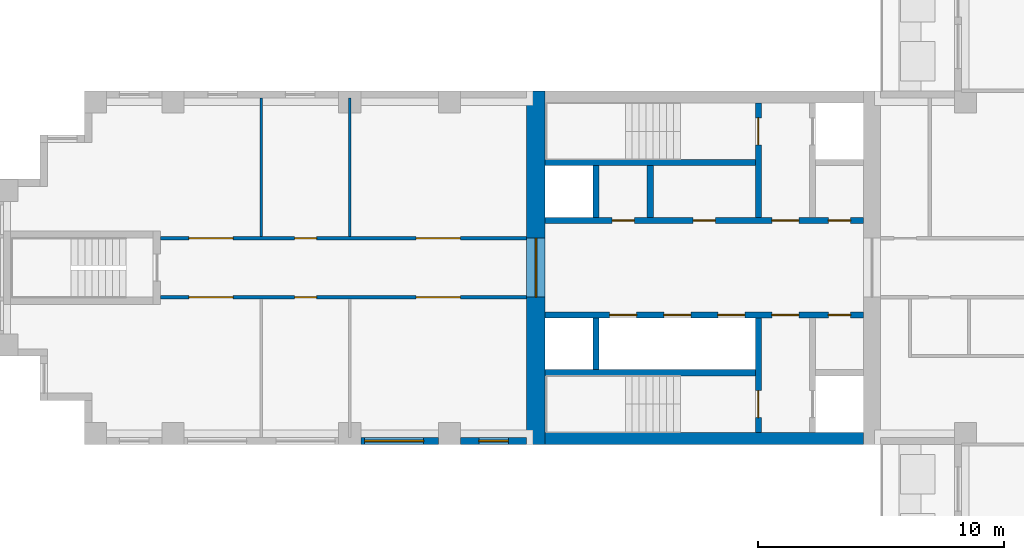
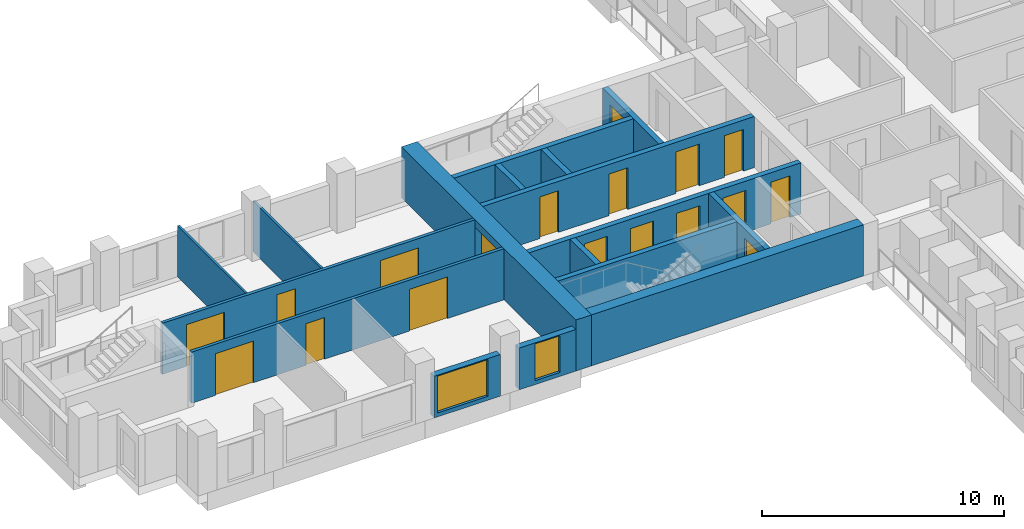
# One storey, part 6 of 15: 18 doors, 17 walls, 2 windows, 20 openings.
"""IFC4 building model written with IfcOpenShell, lengths in metres."""

from ifc_helpers import new_model, si_unit, direction, frame, frame_2d, origin, place, context, subcontext, project, spatial, rectangle, extrude, material, layer, layer_set, type_object, element, fill, save


model = new_model("IFC4")

# Units and contexts
model_context = context("Model", 3, precision=1e-05, world=origin(), true_north=direction((0.0, 1.0)))
body_context = subcontext(model_context, "Body", "Model", "MODEL_VIEW")
ifc_project = project(units=[si_unit("LENGTHUNIT", "METRE"), si_unit("AREAUNIT", "SQUARE_METRE"), si_unit("VOLUMEUNIT", "CUBIC_METRE"), si_unit("PLANEANGLEUNIT", "RADIAN"), si_unit("MASSUNIT", "GRAM", prefix="KILO")], contexts=[model_context])

# Site, building, storey
site_placement = place(None, origin())
site = spatial("IfcSite", under=ifc_project, at=site_placement, CompositionType="ELEMENT")
building_placement = place(site_placement, origin())
building = spatial("IfcBuilding", under=site, at=building_placement, Name="Fustian Cross Tower", CompositionType="ELEMENT")
storey_placement = place(building_placement, frame((0.0, 0.0, 29.699951171875)))
storey = spatial("IfcBuildingStorey", under=building, at=storey_placement, Name="L08", CompositionType="ELEMENT", Elevation=29.699951171875)

# Wall, openings, doors
ifc_material_1 = material(Name="Plasterboard on steel stud", Category="steel")
ifc_layer_1 = layer(ifc_material_1, 0.14990234375)
ifc_layer_set_1 = layer_set([ifc_layer_1], Name="Plasterboard on steel stud")
wall_type_1 = type_object("IfcWallType", Name="COMPARTMENT WALL 150 EI 60", PredefinedType="PARTITIONING", material=ifc_layer_set_1)
wall_1_placement = place(storey_placement, frame((-36.5, -1.199951171875, 0.0), z_axis=(0.0, 0.0, 1.0), x_axis=(1.0, 0.0, 0.0)))
wall_1 = element("IfcWall", 1, at=wall_1_placement, inside=storey, type_object=wall_type_1, Name="Partition 1", PredefinedType="PARTITIONING", context=body_context, shape_type="SweptSolid", body=[
    extrude(rectangle(XDim=14.89990234375, YDim=0.14990234375, at=frame_2d((7.449951171875, 0.0))), origin(), (0.0, 0.0, 1.0), 2.574951171875),
])
opening_1_placement = place(wall_1_placement, frame((10.39990234375, 0.0, 0.0)))
opening_1 = element("IfcOpeningElement", 2, at=opening_1_placement, cuts=wall_1, Name="Opening D06042", PredefinedType="OPENING", context=body_context, shape_type="SweptSolid", body=[
    extrude(rectangle(XDim=1.800048828125, YDim=2.10009765625, at=frame_2d((0.89990234375, 1.050048828125))), frame((0.0, 0.0849609375, 0.0), z_axis=(0.0, -1.0, 0.0), x_axis=(1.0, 0.0, 0.0)), (0.0, 0.0, 1.0), 0.169921875),
])
opening_2_placement = place(wall_1_placement, frame((5.449951171875, 0.0, 0.0)))
opening_2 = element("IfcOpeningElement", 3, at=opening_2_placement, cuts=wall_1, Name="Opening D06043", PredefinedType="OPENING", context=body_context, shape_type="SweptSolid", body=[
    extrude(rectangle(XDim=0.89990234375, YDim=2.10009765625, at=frame_2d((0.449951171875, 1.050048828125))), frame((0.0, 0.0849609375, 0.0), z_axis=(0.0, -1.0, 0.0), x_axis=(1.0, 0.0, 0.0)), (0.0, 0.0, 1.0), 0.169921875),
])
opening_3_placement = place(wall_1_placement, frame((1.14990234375, 0.0, 0.0)))
opening_3 = element("IfcOpeningElement", 4, at=opening_3_placement, cuts=wall_1, Name="Opening D06044", PredefinedType="OPENING", context=body_context, shape_type="SweptSolid", body=[
    extrude(rectangle(XDim=1.800048828125, YDim=2.10009765625, at=frame_2d((0.89990234375, 1.050048828125))), frame((0.0, 0.0849609375, 0.0), z_axis=(0.0, -1.0, 0.0), x_axis=(1.0, 0.0, 0.0)), (0.0, 0.0, 1.0), 0.169921875),
])
ifc_material_2 = material(Name="Timber fire door set", Category="wood")
door_type_1 = type_object("IfcDoorType", Name="FIRE DOUBLE DOOR 1800 FD30S", OperationType="DOUBLE_DOOR_DOUBLE_SWING", PredefinedType="DOOR", material=ifc_material_2)
door_1_placement = place(opening_1_placement, origin())
door_1 = element("IfcDoor", 5, at=door_1_placement, inside=storey, type_object=door_type_1, Name="Door D06042", OperationType="DOUBLE_DOOR_DOUBLE_SWING", OverallHeight=2.10009765625, OverallWidth=1.800048828125, PredefinedType="DOOR", context=body_context, shape_type="SweptSolid", body=[
    extrude(rectangle(XDim=1.800048828125, YDim=2.10009765625, at=frame_2d((0.89990234375, 1.050048828125))), frame((0.0, 0.02490234375, 0.0), z_axis=(0.0, -1.0, 0.0), x_axis=(1.0, 0.0, 0.0)), (0.0, 0.0, 1.0), 0.050048828125),
])
fill(opening_1, door_1)
door_2_placement = place(opening_3_placement, origin())
door_2 = element("IfcDoor", 6, at=door_2_placement, inside=storey, type_object=door_type_1, Name="Door D06044", OperationType="DOUBLE_DOOR_DOUBLE_SWING", OverallHeight=2.10009765625, OverallWidth=1.800048828125, PredefinedType="DOOR", context=body_context, shape_type="SweptSolid", body=[
    extrude(rectangle(XDim=1.800048828125, YDim=2.10009765625, at=frame_2d((0.89990234375, 1.050048828125))), frame((0.0, 0.02490234375, 0.0), z_axis=(0.0, -1.0, 0.0), x_axis=(1.0, 0.0, 0.0)), (0.0, 0.0, 1.0), 0.050048828125),
])
fill(opening_3, door_2)
ifc_material_3 = material(Name="Timber fire door set", Category="wood")
door_type_2 = type_object("IfcDoorType", Name="FIRE SWING DOOR 900 FD30S", OperationType="SINGLE_SWING_LEFT", PredefinedType="DOOR", material=ifc_material_3)
door_3_placement = place(opening_2_placement, frame((0.89990234375, 0.0, 0.0), z_axis=(0.0, 0.0, 1.0), x_axis=(-1.0, 0.0, 0.0)))
door_3 = element("IfcDoor", 7, at=door_3_placement, inside=storey, type_object=door_type_2, Name="Door D06043", OperationType="SINGLE_SWING_RIGHT", OverallHeight=2.10009765625, OverallWidth=0.89990234375, PredefinedType="DOOR", context=body_context, shape_type="SweptSolid", body=[
    extrude(rectangle(XDim=0.89990234375, YDim=2.10009765625, at=frame_2d((0.449951171875, 1.050048828125))), frame((0.0, 0.02490234375, 0.0), z_axis=(0.0, -1.0, 0.0), x_axis=(1.0, 0.0, 0.0)), (0.0, 0.0, 1.0), 0.050048828125),
])
fill(opening_2, door_3)

wall_2_placement = place(storey_placement, frame((-36.5, 1.199951171875, 0.0), z_axis=(0.0, 0.0, 1.0), x_axis=(1.0, 0.0, 0.0)))
wall_2 = element("IfcWall", 8, at=wall_2_placement, inside=storey, type_object=wall_type_1, Name="Partition 2", PredefinedType="PARTITIONING", context=body_context, shape_type="SweptSolid", body=[
    extrude(rectangle(XDim=14.89990234375, YDim=0.14990234375, at=frame_2d((7.449951171875, 0.0))), origin(), (0.0, 0.0, 1.0), 2.574951171875),
])
opening_4_placement = place(wall_2_placement, frame((10.39990234375, 0.0, 0.0)))
opening_4 = element("IfcOpeningElement", 9, at=opening_4_placement, cuts=wall_2, Name="Opening D06045", PredefinedType="OPENING", context=body_context, shape_type="SweptSolid", body=[
    extrude(rectangle(XDim=1.800048828125, YDim=2.10009765625, at=frame_2d((0.89990234375, 1.050048828125))), frame((0.0, 0.0849609375, 0.0), z_axis=(0.0, -1.0, 0.0), x_axis=(1.0, 0.0, 0.0)), (0.0, 0.0, 1.0), 0.169921875),
])
opening_5_placement = place(wall_2_placement, frame((5.449951171875, 0.0, 0.0)))
opening_5 = element("IfcOpeningElement", 10, at=opening_5_placement, cuts=wall_2, Name="Opening D06046", PredefinedType="OPENING", context=body_context, shape_type="SweptSolid", body=[
    extrude(rectangle(XDim=0.89990234375, YDim=2.10009765625, at=frame_2d((0.449951171875, 1.050048828125))), frame((0.0, 0.0849609375, 0.0), z_axis=(0.0, -1.0, 0.0), x_axis=(1.0, 0.0, 0.0)), (0.0, 0.0, 1.0), 0.169921875),
])
opening_6_placement = place(wall_2_placement, frame((1.14990234375, 0.0, 0.0)))
opening_6 = element("IfcOpeningElement", 11, at=opening_6_placement, cuts=wall_2, Name="Opening D06047", PredefinedType="OPENING", context=body_context, shape_type="SweptSolid", body=[
    extrude(rectangle(XDim=1.800048828125, YDim=2.10009765625, at=frame_2d((0.89990234375, 1.050048828125))), frame((0.0, 0.0849609375, 0.0), z_axis=(0.0, -1.0, 0.0), x_axis=(1.0, 0.0, 0.0)), (0.0, 0.0, 1.0), 0.169921875),
])
door_4_placement = place(opening_4_placement, frame((1.800048828125, 0.0, 0.0), z_axis=(0.0, 0.0, 1.0), x_axis=(-1.0, 0.0, 0.0)))
door_4 = element("IfcDoor", 12, at=door_4_placement, inside=storey, type_object=door_type_1, Name="Door D06045", OperationType="DOUBLE_DOOR_DOUBLE_SWING", OverallHeight=2.10009765625, OverallWidth=1.800048828125, PredefinedType="DOOR", context=body_context, shape_type="SweptSolid", body=[
    extrude(rectangle(XDim=1.800048828125, YDim=2.10009765625, at=frame_2d((0.89990234375, 1.050048828125))), frame((0.0, 0.02490234375, 0.0), z_axis=(0.0, -1.0, 0.0), x_axis=(1.0, 0.0, 0.0)), (0.0, 0.0, 1.0), 0.050048828125),
])
fill(opening_4, door_4)
door_5_placement = place(opening_6_placement, frame((1.800048828125, 0.0, 0.0), z_axis=(0.0, 0.0, 1.0), x_axis=(-1.0, 0.0, 0.0)))
door_5 = element("IfcDoor", 13, at=door_5_placement, inside=storey, type_object=door_type_1, Name="Door D06047", OperationType="DOUBLE_DOOR_DOUBLE_SWING", OverallHeight=2.10009765625, OverallWidth=1.800048828125, PredefinedType="DOOR", context=body_context, shape_type="SweptSolid", body=[
    extrude(rectangle(XDim=1.800048828125, YDim=2.10009765625, at=frame_2d((0.89990234375, 1.050048828125))), frame((0.0, 0.02490234375, 0.0), z_axis=(0.0, -1.0, 0.0), x_axis=(1.0, 0.0, 0.0)), (0.0, 0.0, 1.0), 0.050048828125),
])
fill(opening_6, door_5)
door_6_placement = place(opening_5_placement, origin())
door_6 = element("IfcDoor", 14, at=door_6_placement, inside=storey, type_object=door_type_2, Name="Door D06046", OperationType="SINGLE_SWING_LEFT", OverallHeight=2.10009765625, OverallWidth=0.89990234375, PredefinedType="DOOR", context=body_context, shape_type="SweptSolid", body=[
    extrude(rectangle(XDim=0.89990234375, YDim=2.10009765625, at=frame_2d((0.449951171875, 1.050048828125))), frame((0.0, 0.02490234375, 0.0), z_axis=(0.0, -1.0, 0.0), x_axis=(1.0, 0.0, 0.0)), (0.0, 0.0, 1.0), 0.050048828125),
])
fill(opening_5, door_6)

# Wall, opening, door
ifc_material_4 = material(Name="Concrete C80/95", Category="concrete")
ifc_layer_2 = layer(ifc_material_4, 0.75)
ifc_layer_set_2 = layer_set([ifc_layer_2], Name="Concrete C80/95")
wall_type_2 = type_object("IfcWallType", Name="CORE END WALL 750 C80/95", PredefinedType="SHEAR", material=ifc_layer_set_2)
wall_3_placement = place(storey_placement, frame((-21.22509765625, -7.199951171875, 0.0), z_axis=(0.0, 0.0, 1.0), x_axis=(0.0, 1.0, 0.0)))
wall_3 = element("IfcWall", 15, at=wall_3_placement, inside=storey, type_object=wall_type_2, Name="Core end wall", PredefinedType="SHEAR", context=body_context, shape_type="SweptSolid", body=[
    extrude(rectangle(XDim=14.39990234375, YDim=0.75, at=frame_2d((7.199951171875, 0.0))), origin(), (0.0, 0.0, 1.0), 2.574951171875),
])
opening_7_placement = place(wall_3_placement, frame((6.0, 0.0, 0.0)))
opening_7 = element("IfcOpeningElement", 16, at=opening_7_placement, cuts=wall_3, Name="Opening CD-06-28", PredefinedType="OPENING", context=body_context, shape_type="SweptSolid", body=[
    extrude(rectangle(XDim=2.39990234375, YDim=2.199951171875, at=frame_2d((1.199951171875, 1.10009765625))), frame((0.0, 0.385009765625, 0.0), z_axis=(0.0, -1.0, 0.0), x_axis=(1.0, 0.0, 0.0)), (0.0, 0.0, 1.0), 0.77001953125),
])
ifc_material_5 = material(Name="Steel", Category="steel")
door_type_3 = type_object("IfcDoorType", Name="FIRE DOOR FD30S DOUBLE 2400X2200", OperationType="DOUBLE_DOOR_DOUBLE_SWING", PredefinedType="DOOR", material=ifc_material_5)
door_7_placement = place(opening_7_placement, frame((2.39990234375, 0.0, 0.0), z_axis=(0.0, 0.0, 1.0), x_axis=(-1.0, 0.0, 0.0)))
door_7 = element("IfcDoor", 17, at=door_7_placement, inside=storey, type_object=door_type_3, Name="Core door CD-06-28", OperationType="DOUBLE_DOOR_DOUBLE_SWING", OverallHeight=2.199951171875, OverallWidth=2.39990234375, PredefinedType="DOOR", context=body_context, shape_type="SweptSolid", body=[
    extrude(rectangle(XDim=2.39990234375, YDim=2.199951171875, at=frame_2d((1.199951171875, 1.10009765625))), frame((0.0, 0.02490234375, 0.0), z_axis=(0.0, -1.0, 0.0), x_axis=(1.0, 0.0, 0.0)), (0.0, 0.0, 1.0), 0.050048828125),
])
fill(opening_7, door_7)

# Wall
ifc_material_6 = material(Name="Concrete C80/95", Category="concrete")
ifc_layer_3 = layer(ifc_material_6, 0.5)
ifc_layer_set_3 = layer_set([ifc_layer_3], Name="Concrete C80/95")
wall_type_3 = type_object("IfcWallType", Name="CORE FACADE WALL 500 C80/95", PredefinedType="SHEAR", material=ifc_layer_set_3)
wall_4_placement = place(storey_placement, frame((-7.89990234375, -6.949951171875, 0.0), z_axis=(0.0, 0.0, 1.0), x_axis=(-1.0, 0.0, 0.0)))
element("IfcWall", 18, at=wall_4_placement, inside=storey, type_object=wall_type_3, Name="Core facade wall", PredefinedType="SHEAR", context=body_context, shape_type="SweptSolid", body=[
    extrude(rectangle(XDim=12.9501953125, YDim=0.5, at=frame_2d((6.47509765625, 0.0))), origin(), (0.0, 0.0, 1.0), 2.574951171875),
])

# Wall, openings, doors
ifc_material_7 = material(Name="Concrete C50/60", Category="concrete")
ifc_layer_4 = layer(ifc_material_7, 0.25)
ifc_layer_set_4 = layer_set([ifc_layer_4], Name="Concrete C50/60")
wall_type_4 = type_object("IfcWallType", Name="CORE LOBBY WALL 250 C50/60", PredefinedType="SHEAR", material=ifc_layer_set_4)
wall_5_placement = place(storey_placement, frame((-7.89990234375, 1.925048828125, 0.0), z_axis=(0.0, 0.0, 1.0), x_axis=(-1.0, 0.0, 0.0)))
wall_5 = element("IfcWall", 19, at=wall_5_placement, inside=storey, type_object=wall_type_4, Name="Core lobby wall", PredefinedType="SHEAR", context=body_context, shape_type="SweptSolid", body=[
    extrude(rectangle(XDim=12.9501953125, YDim=0.25, at=frame_2d((6.47509765625, 0.0))), origin(), (0.0, 0.0, 1.0), 2.574951171875),
])
opening_8_placement = place(wall_5_placement, frame((0.52490234375, 0.0, 0.0)))
opening_8 = element("IfcOpeningElement", 20, at=opening_8_placement, cuts=wall_5, Name="Opening CD-06-23", PredefinedType="OPENING", context=body_context, shape_type="SweptSolid", body=[
    extrude(rectangle(XDim=0.89990234375, YDim=2.10009765625, at=frame_2d((0.449951171875, 1.050048828125))), frame((0.0, 0.135009765625, 0.0), z_axis=(0.0, -1.0, 0.0), x_axis=(1.0, 0.0, 0.0)), (0.0, 0.0, 1.0), 0.27001953125),
])
opening_9_placement = place(wall_5_placement, frame((2.625, 0.0, 0.0)))
opening_9 = element("IfcOpeningElement", 21, at=opening_9_placement, cuts=wall_5, Name="Opening CD-06-25", PredefinedType="OPENING", context=body_context, shape_type="SweptSolid", body=[
    extrude(rectangle(XDim=1.10009765625, YDim=2.10009765625, at=frame_2d((0.550048828125, 1.050048828125))), frame((0.0, 0.135009765625, 0.0), z_axis=(0.0, -1.0, 0.0), x_axis=(1.0, 0.0, 0.0)), (0.0, 0.0, 1.0), 0.27001953125),
])
opening_10_placement = place(wall_5_placement, frame((6.02490234375, 0.0, 0.0)))
opening_10 = element("IfcOpeningElement", 22, at=opening_10_placement, cuts=wall_5, Name="Opening CD-06-29", PredefinedType="OPENING", context=body_context, shape_type="SweptSolid", body=[
    extrude(rectangle(XDim=0.89990234375, YDim=2.10009765625, at=frame_2d((0.449951171875, 1.050048828125))), frame((0.0, 0.135009765625, 0.0), z_axis=(0.0, -1.0, 0.0), x_axis=(1.0, 0.0, 0.0)), (0.0, 0.0, 1.0), 0.27001953125),
])
opening_11_placement = place(wall_5_placement, frame((9.324951171875, 0.0, 0.0)))
opening_11 = element("IfcOpeningElement", 23, at=opening_11_placement, cuts=wall_5, Name="Opening CD-06-30", PredefinedType="OPENING", context=body_context, shape_type="SweptSolid", body=[
    extrude(rectangle(XDim=0.89990234375, YDim=2.10009765625, at=frame_2d((0.449951171875, 1.050048828125))), frame((0.0, 0.135009765625, 0.0), z_axis=(0.0, -1.0, 0.0), x_axis=(1.0, 0.0, 0.0)), (0.0, 0.0, 1.0), 0.27001953125),
])
ifc_material_8 = material(Name="Steel", Category="steel")
door_type_4 = type_object("IfcDoorType", Name="FIRE DOOR FD30S 900X2100", OperationType="SINGLE_SWING_LEFT", PredefinedType="DOOR", material=ifc_material_8)
door_8_placement = place(opening_10_placement, frame((0.89990234375, 0.0, 0.0), z_axis=(0.0, 0.0, 1.0), x_axis=(-1.0, 0.0, 0.0)))
door_8 = element("IfcDoor", 24, at=door_8_placement, inside=storey, type_object=door_type_4, Name="Core door CD-06-29", OperationType="SINGLE_SWING_LEFT", OverallHeight=2.10009765625, OverallWidth=0.89990234375, PredefinedType="DOOR", context=body_context, shape_type="SweptSolid", body=[
    extrude(rectangle(XDim=0.89990234375, YDim=2.10009765625, at=frame_2d((0.449951171875, 1.050048828125))), frame((0.0, 0.02490234375, 0.0), z_axis=(0.0, -1.0, 0.0), x_axis=(1.0, 0.0, 0.0)), (0.0, 0.0, 1.0), 0.050048828125),
])
fill(opening_10, door_8)
door_9_placement = place(opening_11_placement, frame((0.89990234375, 0.0, 0.0), z_axis=(0.0, 0.0, 1.0), x_axis=(-1.0, 0.0, 0.0)))
door_9 = element("IfcDoor", 25, at=door_9_placement, inside=storey, type_object=door_type_4, Name="Core door CD-06-30", OperationType="SINGLE_SWING_RIGHT", OverallHeight=2.10009765625, OverallWidth=0.89990234375, PredefinedType="DOOR", context=body_context, shape_type="SweptSolid", body=[
    extrude(rectangle(XDim=0.89990234375, YDim=2.10009765625, at=frame_2d((0.449951171875, 1.050048828125))), frame((0.0, 0.02490234375, 0.0), z_axis=(0.0, -1.0, 0.0), x_axis=(1.0, 0.0, 0.0)), (0.0, 0.0, 1.0), 0.050048828125),
])
fill(opening_11, door_9)
ifc_material_9 = material(Name="Steel", Category="steel")
door_type_5 = type_object("IfcDoorType", Name="FIRE DOOR FD60S 1100X2100", OperationType="SINGLE_SWING_LEFT", PredefinedType="DOOR", material=ifc_material_9)
door_10_placement = place(opening_9_placement, frame((1.10009765625, 0.0, 0.0), z_axis=(0.0, 0.0, 1.0), x_axis=(-1.0, 0.0, 0.0)))
door_10 = element("IfcDoor", 26, at=door_10_placement, inside=storey, type_object=door_type_5, Name="Core door CD-06-25", OperationType="SINGLE_SWING_RIGHT", OverallHeight=2.10009765625, OverallWidth=1.10009765625, PredefinedType="DOOR", context=body_context, shape_type="SweptSolid", body=[
    extrude(rectangle(XDim=1.10009765625, YDim=2.10009765625, at=frame_2d((0.550048828125, 1.050048828125))), frame((0.0, 0.02490234375, 0.0), z_axis=(0.0, -1.0, 0.0), x_axis=(1.0, 0.0, 0.0)), (0.0, 0.0, 1.0), 0.050048828125),
])
fill(opening_9, door_10)
ifc_material_10 = material(Name="Steel", Category="steel")
door_type_6 = type_object("IfcDoorType", Name="FIRE DOOR FD60S 900X2100", OperationType="SINGLE_SWING_LEFT", PredefinedType="DOOR", material=ifc_material_10)
door_11_placement = place(opening_8_placement, frame((0.89990234375, 0.0, 0.0), z_axis=(0.0, 0.0, 1.0), x_axis=(-1.0, 0.0, 0.0)))
door_11 = element("IfcDoor", 27, at=door_11_placement, inside=storey, type_object=door_type_6, Name="Core door CD-06-23", OperationType="SINGLE_SWING_RIGHT", OverallHeight=2.10009765625, OverallWidth=0.89990234375, PredefinedType="DOOR", context=body_context, shape_type="SweptSolid", body=[
    extrude(rectangle(XDim=0.89990234375, YDim=2.10009765625, at=frame_2d((0.449951171875, 1.050048828125))), frame((0.0, 0.02490234375, 0.0), z_axis=(0.0, -1.0, 0.0), x_axis=(1.0, 0.0, 0.0)), (0.0, 0.0, 1.0), 0.050048828125),
])
fill(opening_8, door_11)

wall_6_placement = place(storey_placement, frame((-7.89990234375, -1.925048828125, 0.0), z_axis=(0.0, 0.0, 1.0), x_axis=(-1.0, 0.0, 0.0)))
wall_6 = element("IfcWall", 28, at=wall_6_placement, inside=storey, type_object=wall_type_4, Name="Core lobby wall", PredefinedType="SHEAR", context=body_context, shape_type="SweptSolid", body=[
    extrude(rectangle(XDim=12.9501953125, YDim=0.25, at=frame_2d((6.47509765625, 0.0))), origin(), (0.0, 0.0, 1.0), 2.574951171875),
])
opening_12_placement = place(wall_6_placement, frame((4.824951171875, 0.0, 0.0)))
opening_12 = element("IfcOpeningElement", 29, at=opening_12_placement, cuts=wall_6, Name="Opening LD", PredefinedType="OPENING", context=body_context, shape_type="SweptSolid", body=[
    extrude(rectangle(XDim=1.10009765625, YDim=2.10009765625, at=frame_2d((0.550048828125, 1.050048828125))), frame((0.0, 0.135009765625, 0.0), z_axis=(0.0, -1.0, 0.0), x_axis=(1.0, 0.0, 0.0)), (0.0, 0.0, 1.0), 0.27001953125),
])
opening_13_placement = place(wall_6_placement, frame((7.02490234375, 0.0, 0.0)))
opening_13 = element("IfcOpeningElement", 30, at=opening_13_placement, cuts=wall_6, Name="Opening LD", PredefinedType="OPENING", context=body_context, shape_type="SweptSolid", body=[
    extrude(rectangle(XDim=1.10009765625, YDim=2.10009765625, at=frame_2d((0.550048828125, 1.050048828125))), frame((0.0, 0.135009765625, 0.0), z_axis=(0.0, -1.0, 0.0), x_axis=(1.0, 0.0, 0.0)), (0.0, 0.0, 1.0), 0.27001953125),
])
opening_14_placement = place(wall_6_placement, frame((9.22509765625, 0.0, 0.0)))
opening_14 = element("IfcOpeningElement", 31, at=opening_14_placement, cuts=wall_6, Name="Opening LD", PredefinedType="OPENING", context=body_context, shape_type="SweptSolid", body=[
    extrude(rectangle(XDim=1.10009765625, YDim=2.10009765625, at=frame_2d((0.550048828125, 1.050048828125))), frame((0.0, 0.135009765625, 0.0), z_axis=(0.0, -1.0, 0.0), x_axis=(1.0, 0.0, 0.0)), (0.0, 0.0, 1.0), 0.27001953125),
])
opening_15_placement = place(wall_6_placement, frame((0.52490234375, 0.0, 0.0)))
opening_15 = element("IfcOpeningElement", 32, at=opening_15_placement, cuts=wall_6, Name="Opening CD-06-24", PredefinedType="OPENING", context=body_context, shape_type="SweptSolid", body=[
    extrude(rectangle(XDim=0.89990234375, YDim=2.10009765625, at=frame_2d((0.449951171875, 1.050048828125))), frame((0.0, 0.135009765625, 0.0), z_axis=(0.0, -1.0, 0.0), x_axis=(1.0, 0.0, 0.0)), (0.0, 0.0, 1.0), 0.27001953125),
])
opening_16_placement = place(wall_6_placement, frame((2.625, 0.0, 0.0)))
opening_16 = element("IfcOpeningElement", 33, at=opening_16_placement, cuts=wall_6, Name="Opening CD-06-26", PredefinedType="OPENING", context=body_context, shape_type="SweptSolid", body=[
    extrude(rectangle(XDim=1.10009765625, YDim=2.10009765625, at=frame_2d((0.550048828125, 1.050048828125))), frame((0.0, 0.135009765625, 0.0), z_axis=(0.0, -1.0, 0.0), x_axis=(1.0, 0.0, 0.0)), (0.0, 0.0, 1.0), 0.27001953125),
])
ifc_material_11 = material(Name="Steel", Category="steel")
door_type_7 = type_object("IfcDoorType", Name="FIRE DOOR FD30S 1100X2100", OperationType="SINGLE_SWING_LEFT", PredefinedType="DOOR", material=ifc_material_11)
door_12_placement = place(opening_16_placement, frame((1.10009765625, 0.0, 0.0), z_axis=(0.0, 0.0, 1.0), x_axis=(-1.0, 0.0, 0.0)))
door_12 = element("IfcDoor", 34, at=door_12_placement, inside=storey, type_object=door_type_7, Name="Core door CD-06-26", OperationType="SINGLE_SWING_RIGHT", OverallHeight=2.10009765625, OverallWidth=1.10009765625, PredefinedType="DOOR", context=body_context, shape_type="SweptSolid", body=[
    extrude(rectangle(XDim=1.10009765625, YDim=2.10009765625, at=frame_2d((0.550048828125, 1.050048828125))), frame((0.0, 0.02490234375, 0.0), z_axis=(0.0, -1.0, 0.0), x_axis=(1.0, 0.0, 0.0)), (0.0, 0.0, 1.0), 0.050048828125),
])
fill(opening_16, door_12)
door_13_placement = place(opening_15_placement, origin())
door_13 = element("IfcDoor", 35, at=door_13_placement, inside=storey, type_object=door_type_4, Name="Core door CD-06-24", OperationType="SINGLE_SWING_LEFT", OverallHeight=2.10009765625, OverallWidth=0.89990234375, PredefinedType="DOOR", context=body_context, shape_type="SweptSolid", body=[
    extrude(rectangle(XDim=0.89990234375, YDim=2.10009765625, at=frame_2d((0.449951171875, 1.050048828125))), frame((0.0, 0.02490234375, 0.0), z_axis=(0.0, -1.0, 0.0), x_axis=(1.0, 0.0, 0.0)), (0.0, 0.0, 1.0), 0.050048828125),
])
fill(opening_15, door_13)
ifc_material_12 = material(Name="Stainless steel", Category="steel")
door_type_8 = type_object("IfcDoorType", Name="LIFT LANDING DOOR 1100X2100", OperationType="SLIDING_TO_LEFT", PredefinedType="DOOR", material=ifc_material_12)
door_14_placement = place(opening_12_placement, origin())
door_14 = element("IfcDoor", 36, at=door_14_placement, inside=storey, type_object=door_type_8, Name="Landing door LR1W", OperationType="SLIDING_TO_LEFT", OverallHeight=2.10009765625, OverallWidth=1.10009765625, PredefinedType="DOOR", context=body_context, shape_type="SweptSolid", body=[
    extrude(rectangle(XDim=1.10009765625, YDim=2.10009765625, at=frame_2d((0.550048828125, 1.050048828125))), frame((0.0, 0.02490234375, 0.0), z_axis=(0.0, -1.0, 0.0), x_axis=(1.0, 0.0, 0.0)), (0.0, 0.0, 1.0), 0.050048828125),
])
fill(opening_12, door_14)
door_15_placement = place(opening_13_placement, origin())
door_15 = element("IfcDoor", 37, at=door_15_placement, inside=storey, type_object=door_type_8, Name="Landing door LR2W", OperationType="SLIDING_TO_LEFT", OverallHeight=2.10009765625, OverallWidth=1.10009765625, PredefinedType="DOOR", context=body_context, shape_type="SweptSolid", body=[
    extrude(rectangle(XDim=1.10009765625, YDim=2.10009765625, at=frame_2d((0.550048828125, 1.050048828125))), frame((0.0, 0.02490234375, 0.0), z_axis=(0.0, -1.0, 0.0), x_axis=(1.0, 0.0, 0.0)), (0.0, 0.0, 1.0), 0.050048828125),
])
fill(opening_13, door_15)
door_16_placement = place(opening_14_placement, origin())
door_16 = element("IfcDoor", 38, at=door_16_placement, inside=storey, type_object=door_type_8, Name="Landing door LR3W", OperationType="SLIDING_TO_LEFT", OverallHeight=2.10009765625, OverallWidth=1.10009765625, PredefinedType="DOOR", context=body_context, shape_type="SweptSolid", body=[
    extrude(rectangle(XDim=1.10009765625, YDim=2.10009765625, at=frame_2d((0.550048828125, 1.050048828125))), frame((0.0, 0.02490234375, 0.0), z_axis=(0.0, -1.0, 0.0), x_axis=(1.0, 0.0, 0.0)), (0.0, 0.0, 1.0), 0.050048828125),
])
fill(opening_14, door_16)

# Wall
ifc_material_13 = material(Name="Concrete C50/60", Category="concrete")
ifc_layer_5 = layer(ifc_material_13, 0.25)
ifc_layer_set_5 = layer_set([ifc_layer_5], Name="Concrete C50/60")
wall_type_5 = type_object("IfcWallType", Name="CORE SHAFT WALL 250 C50/60", PredefinedType="SHEAR", material=ifc_layer_set_5)
wall_7_placement = place(storey_placement, frame((-12.300048828125, 4.27490234375, 0.0), z_axis=(0.0, 0.0, 1.0), x_axis=(-1.0, 0.0, 0.0)))
element("IfcWall", 39, at=wall_7_placement, inside=storey, type_object=wall_type_5, Name="Core shaft wall", PredefinedType="SHEAR", context=body_context, shape_type="SweptSolid", body=[
    extrude(rectangle(XDim=8.550048828125, YDim=0.25, at=frame_2d((4.27490234375, 0.0))), origin(), (0.0, 0.0, 1.0), 2.574951171875),
])

# Wall, opening, door
wall_8_placement = place(storey_placement, frame((-12.175048828125, 2.050048828125, 0.0), z_axis=(0.0, 0.0, 1.0), x_axis=(0.0, 1.0, 0.0)))
wall_8 = element("IfcWall", 40, at=wall_8_placement, inside=storey, type_object=wall_type_5, Name="Core shaft wall", PredefinedType="SHEAR", context=body_context, shape_type="SweptSolid", body=[
    extrude(rectangle(XDim=4.64990234375, YDim=0.25, at=frame_2d((2.324951171875, 0.0))), origin(), (0.0, 0.0, 1.0), 2.574951171875),
])
opening_17_placement = place(wall_8_placement, frame((2.949951171875, 0.0, 0.0)))
opening_17 = element("IfcOpeningElement", 41, at=opening_17_placement, cuts=wall_8, Name="Opening CD-06-21", PredefinedType="OPENING", context=body_context, shape_type="SweptSolid", body=[
    extrude(rectangle(XDim=1.10009765625, YDim=2.10009765625, at=frame_2d((0.550048828125, 1.050048828125))), frame((0.0, 0.135009765625, 0.0), z_axis=(0.0, -1.0, 0.0), x_axis=(1.0, 0.0, 0.0)), (0.0, 0.0, 1.0), 0.27001953125),
])
door_17_placement = place(opening_17_placement, origin())
door_17 = element("IfcDoor", 42, at=door_17_placement, inside=storey, type_object=door_type_5, Name="Core door CD-06-21", OperationType="SINGLE_SWING_LEFT", OverallHeight=2.10009765625, OverallWidth=1.10009765625, PredefinedType="DOOR", context=body_context, shape_type="SweptSolid", body=[
    extrude(rectangle(XDim=1.10009765625, YDim=2.10009765625, at=frame_2d((0.550048828125, 1.050048828125))), frame((0.0, 0.02490234375, 0.0), z_axis=(0.0, -1.0, 0.0), x_axis=(1.0, 0.0, 0.0)), (0.0, 0.0, 1.0), 0.050048828125),
])
fill(opening_17, door_17)

# Wall
wall_9_placement = place(storey_placement, frame((-12.300048828125, -4.27490234375, 0.0), z_axis=(0.0, 0.0, 1.0), x_axis=(-1.0, 0.0, 0.0)))
element("IfcWall", 43, at=wall_9_placement, inside=storey, type_object=wall_type_5, Name="Core shaft wall", PredefinedType="SHEAR", context=body_context, shape_type="SweptSolid", body=[
    extrude(rectangle(XDim=8.550048828125, YDim=0.25, at=frame_2d((4.27490234375, 0.0))), origin(), (0.0, 0.0, 1.0), 2.574951171875),
])

# Wall, opening, door
wall_10_placement = place(storey_placement, frame((-12.175048828125, -2.050048828125, 0.0), z_axis=(0.0, 0.0, 1.0), x_axis=(0.0, -1.0, 0.0)))
wall_10 = element("IfcWall", 44, at=wall_10_placement, inside=storey, type_object=wall_type_5, Name="Core shaft wall", PredefinedType="SHEAR", context=body_context, shape_type="SweptSolid", body=[
    extrude(rectangle(XDim=4.64990234375, YDim=0.25, at=frame_2d((2.324951171875, 0.0))), origin(), (0.0, 0.0, 1.0), 2.574951171875),
])
opening_18_placement = place(wall_10_placement, frame((2.949951171875, 0.0, 0.0)))
opening_18 = element("IfcOpeningElement", 45, at=opening_18_placement, cuts=wall_10, Name="Opening CD-06-22", PredefinedType="OPENING", context=body_context, shape_type="SweptSolid", body=[
    extrude(rectangle(XDim=1.10009765625, YDim=2.10009765625, at=frame_2d((0.550048828125, 1.050048828125))), frame((0.0, 0.135009765625, 0.0), z_axis=(0.0, -1.0, 0.0), x_axis=(1.0, 0.0, 0.0)), (0.0, 0.0, 1.0), 0.27001953125),
])
door_18_placement = place(opening_18_placement, frame((1.10009765625, 0.0, 0.0), z_axis=(0.0, 0.0, 1.0), x_axis=(-1.0, 0.0, 0.0)))
door_18 = element("IfcDoor", 46, at=door_18_placement, inside=storey, type_object=door_type_5, Name="Core door CD-06-22", OperationType="SINGLE_SWING_RIGHT", OverallHeight=2.10009765625, OverallWidth=1.10009765625, PredefinedType="DOOR", context=body_context, shape_type="SweptSolid", body=[
    extrude(rectangle(XDim=1.10009765625, YDim=2.10009765625, at=frame_2d((0.550048828125, 1.050048828125))), frame((0.0, 0.02490234375, 0.0), z_axis=(0.0, -1.0, 0.0), x_axis=(1.0, 0.0, 0.0)), (0.0, 0.0, 1.0), 0.050048828125),
])
fill(opening_18, door_18)

# Walls
ifc_material_14 = material(Name="Plasterboard on steel stud", Category="steel")
ifc_layer_6 = layer(ifc_material_14, 0.10009765625)
ifc_layer_set_6 = layer_set([ifc_layer_6], Name="Plasterboard on steel stud")
wall_type_6 = type_object("IfcWallType", Name="PARTITION 100 STUD", PredefinedType="PARTITIONING", material=ifc_layer_set_6)
for number, where, z_axis, x_axis, name in (
    (47, (-32.39990234375, 1.27490234375, 0.0), (0.0, 0.0, 1.0), (0.0, 1.0, 0.0), "Partition 4"),
    (48, (-28.800048828125, 1.27490234375, 0.0), (0.0, 0.0, 1.0), (0.0, 1.0, 0.0), "Partition 6"),
):
    element("IfcWall", number, at=place(storey_placement, frame(where, z_axis=z_axis, x_axis=x_axis)), inside=storey, type_object=wall_type_6, Name=name, PredefinedType="PARTITIONING", context=body_context, shape_type="SweptSolid", body=[
        extrude(rectangle(XDim=5.625, YDim=0.10009765625, at=frame_2d((2.8125, 0.0))), origin(), (0.0, 0.0, 1.0), 2.574951171875),
    ])
ifc_material_15 = material(Name="Concrete C40/50", Category="concrete")
ifc_layer_7 = layer(ifc_material_15, 0.25)
ifc_layer_set_7 = layer_set([ifc_layer_7], Name="Concrete C40/50")
wall_type_7 = type_object("IfcWallType", Name="SHAFT PARTITION WALL 250 C40/50", PredefinedType="PARTITIONING", material=ifc_layer_set_7)
for number, where, z_axis, x_axis, name in (
    (49, (-16.574951171875, 2.050048828125, 0.0), (0.0, 0.0, 1.0), (0.0, 1.0, 0.0), "Core shaft wall"),
    (50, (-18.77490234375, 2.050048828125, 0.0), (0.0, 0.0, 1.0), (0.0, 1.0, 0.0), "Core shaft wall"),
    (51, (-18.77490234375, -2.050048828125, 0.0), (0.0, 0.0, 1.0), (0.0, -1.0, 0.0), "Core shaft wall"),
):
    element("IfcWall", number, at=place(storey_placement, frame(where, z_axis=z_axis, x_axis=x_axis)), inside=storey, type_object=wall_type_7, Name=name, PredefinedType="PARTITIONING", context=body_context, shape_type="SweptSolid", body=[
        extrude(rectangle(XDim=2.099853515625, YDim=0.25, at=frame_2d((1.0498046875, 0.0))), origin(), (0.0, 0.0, 1.0), 2.574951171875),
    ])

# Wall, opening, window
ifc_material_16 = material(Name="Dark aluminium cladding on insulated backing wall", Category="aluminium")
ifc_layer_8 = layer(ifc_material_16, 0.300048828125)
ifc_layer_set_8 = layer_set([ifc_layer_8], Name="Dark aluminium cladding on insulated backing wall")
wall_type_8 = type_object("IfcWallType", Name="XW1 EXTERNAL WALL 300", PredefinedType="SOLIDWALL", material=ifc_layer_set_8)
wall_11_placement = place(storey_placement, frame((-28.35009765625, -7.050048828125, 0.0), z_axis=(0.0, 0.0, 1.0), x_axis=(1.0, 0.0, 0.0)))
wall_11 = element("IfcWall", 52, at=wall_11_placement, inside=storey, type_object=wall_type_8, Name="External wall", PredefinedType="SOLIDWALL", context=body_context, shape_type="SweptSolid", body=[
    extrude(rectangle(XDim=3.150146484375, YDim=0.300048828125, at=frame_2d((1.5751953125, 0.0))), origin(), (0.0, 0.0, 1.0), 2.10009765625),
])
opening_19_placement = place(wall_11_placement, frame((0.14990234375, 0.0, 0.199951171875)))
opening_19 = element("IfcOpeningElement", 53, at=opening_19_placement, cuts=wall_11, Name="Opening WN1", PredefinedType="OPENING", context=body_context, shape_type="SweptSolid", body=[
    extrude(rectangle(XDim=2.39990234375, YDim=1.85009765625, at=frame_2d((1.199951171875, 0.925048828125))), frame((0.0, 0.159912109375, 0.0), z_axis=(0.0, -1.0, 0.0), x_axis=(1.0, 0.0, 0.0)), (0.0, 0.0, 1.0), 0.320068359375),
])
ifc_material_17 = material(Name="Dark anodised aluminium and double glazing", Category="aluminium")
window_type_1 = type_object("IfcWindowType", Name="WN1 WINDOW 2400X1850", PartitioningType="SINGLE_PANEL", PredefinedType="WINDOW", material=ifc_material_17)
window_1_placement = place(opening_19_placement, origin())
window_1 = element("IfcWindow", 54, at=window_1_placement, inside=storey, type_object=window_type_1, Name="Window", OverallHeight=1.85009765625, OverallWidth=2.39990234375, PartitioningType="SINGLE_PANEL", PredefinedType="WINDOW", context=body_context, shape_type="SweptSolid", body=[
    extrude(rectangle(XDim=2.39990234375, YDim=1.85009765625, at=frame_2d((1.199951171875, 0.925048828125))), frame((0.0, 0.030029296875, 0.0), z_axis=(0.0, -1.0, 0.0), x_axis=(1.0, 0.0, 0.0)), (0.0, 0.0, 1.0), 0.06005859375),
])
fill(opening_19, window_1)

wall_12_placement = place(storey_placement, frame((-24.300048828125, -7.050048828125, 0.0), z_axis=(0.0, 0.0, 1.0), x_axis=(1.0, 0.0, 0.0)))
wall_12 = element("IfcWall", 55, at=wall_12_placement, inside=storey, type_object=wall_type_8, Name="External wall", PredefinedType="SOLIDWALL", context=body_context, shape_type="SweptSolid", body=[
    extrude(rectangle(XDim=2.699951171875, YDim=0.300048828125, at=frame_2d((1.35009765625, 0.0))), origin(), (0.0, 0.0, 1.0), 2.10009765625),
])
opening_20_placement = place(wall_12_placement, frame((0.75, 0.0, 0.199951171875)))
opening_20 = element("IfcOpeningElement", 56, at=opening_20_placement, cuts=wall_12, Name="Opening WN3", PredefinedType="OPENING", context=body_context, shape_type="SweptSolid", body=[
    extrude(rectangle(XDim=1.199951171875, YDim=1.85009765625, at=frame_2d((0.60009765625, 0.925048828125))), frame((0.0, 0.159912109375, 0.0), z_axis=(0.0, -1.0, 0.0), x_axis=(1.0, 0.0, 0.0)), (0.0, 0.0, 1.0), 0.320068359375),
])
ifc_material_18 = material(Name="Dark anodised aluminium and double glazing", Category="aluminium")
window_type_2 = type_object("IfcWindowType", Name="WN3 WINDOW 1200X1850", PartitioningType="SINGLE_PANEL", PredefinedType="WINDOW", material=ifc_material_18)
window_2_placement = place(opening_20_placement, origin())
window_2 = element("IfcWindow", 57, at=window_2_placement, inside=storey, type_object=window_type_2, Name="Window", OverallHeight=1.85009765625, OverallWidth=1.199951171875, PartitioningType="SINGLE_PANEL", PredefinedType="WINDOW", context=body_context, shape_type="SweptSolid", body=[
    extrude(rectangle(XDim=1.199951171875, YDim=1.85009765625, at=frame_2d((0.60009765625, 0.925048828125))), frame((0.0, 0.030029296875, 0.0), z_axis=(0.0, -1.0, 0.0), x_axis=(1.0, 0.0, 0.0)), (0.0, 0.0, 1.0), 0.06005859375),
])
fill(opening_20, window_2)

save(model, "model.ifc")
